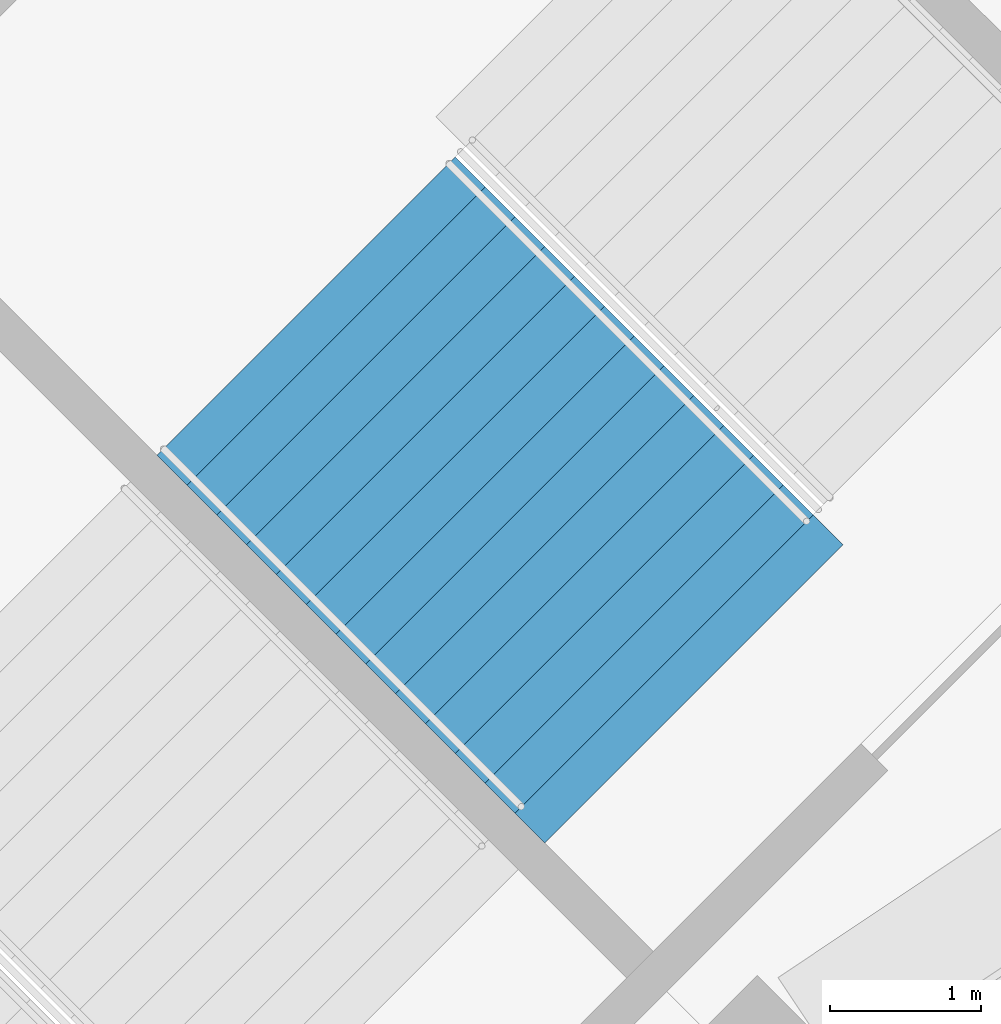
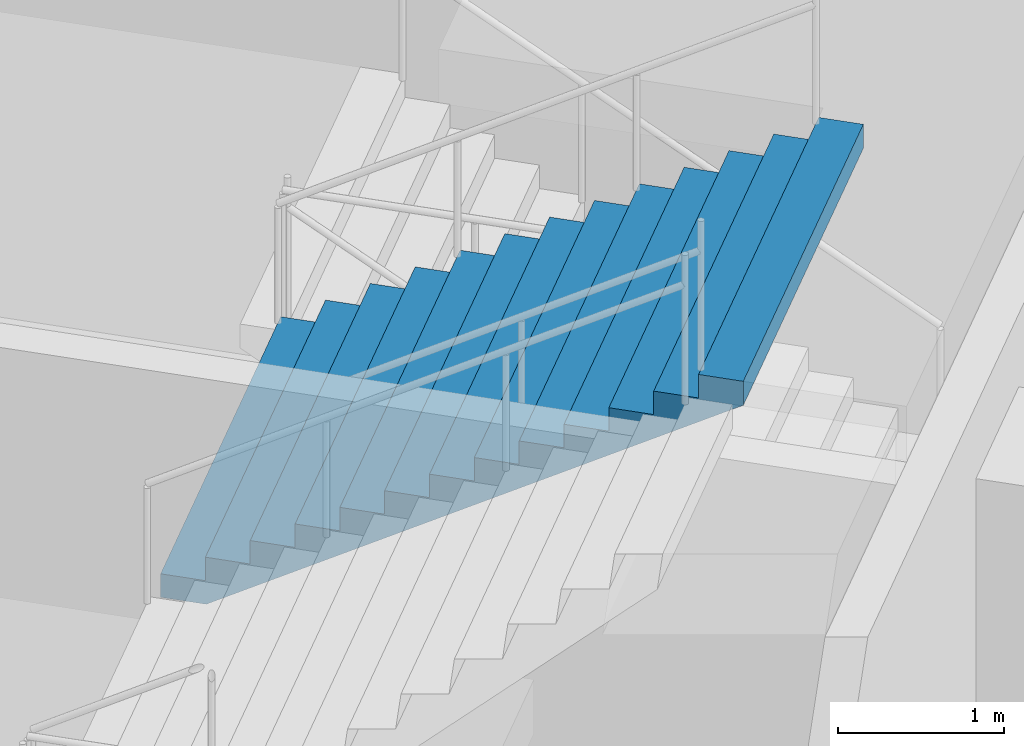
# One storey, part 138 of 177: 1 stair flight, 1 element without a shape of its own.
"""IFC4 building model written with IfcOpenShell, lengths in metres."""

from ifc_helpers import new_model, si_unit, direction, frame, origin, place, context, subcontext, project, spatial, faceted_brep, material, type_object, element, aggregate, save


model = new_model("IFC4")

# Units and contexts
model_context = context("Model", 3, precision=1e-05, world=origin(), true_north=direction((0.0, 1.0)))
body_context = subcontext(model_context, "Body", "Model", "MODEL_VIEW")
ifc_project = project(units=[si_unit("LENGTHUNIT", "METRE"), si_unit("AREAUNIT", "SQUARE_METRE"), si_unit("VOLUMEUNIT", "CUBIC_METRE"), si_unit("PLANEANGLEUNIT", "RADIAN"), si_unit("MASSUNIT", "GRAM", prefix="KILO")], contexts=[model_context])

# Site, building, storey
site_placement = place(None, origin())
site = spatial("IfcSite", under=ifc_project, at=site_placement, CompositionType="ELEMENT")
building_placement = place(site_placement, origin())
building = spatial("IfcBuilding", under=site, at=building_placement, Name="Ogive Plaza Stadium", CompositionType="ELEMENT")
storey_placement = place(building_placement, frame((0.0, 0.0, 18.0)))
storey = spatial("IfcBuildingStorey", under=building, at=storey_placement, Name="L04", CompositionType="ELEMENT", Elevation=18.0)

# Stair, stair flight
ifc_material_1 = material(Name="Concrete C40/50", Category="concrete")
stair_type = type_object("IfcStairType", Name="Exit stair", PredefinedType="STRAIGHT_RUN_STAIR", material=ifc_material_1)
stair_placement = place(storey_placement, origin())
stair = element("IfcStair", 1, at=stair_placement, inside=storey, type_object=stair_type, Name="Exit stair ST30A L04 to L05", PredefinedType="STRAIGHT_RUN_STAIR")
ifc_material_2 = material(Name="Concrete C40/50", Category="concrete")
stair_flight_type = type_object("IfcStairFlightType", Name="Exit stair flight", PredefinedType="STRAIGHT", material=ifc_material_2)
stair_flight_placement = place(storey_placement, frame((-65.243408203125, 85.900146484375, 2.25), z_axis=(0.0, 0.0, 1.0), x_axis=(0.707106781187, -0.707106781187, 0.0)))
stair_flight = element("IfcStairFlight", 2, at=stair_flight_placement, type_object=stair_flight_type, Name="ST30A flight 2", NumberOfRisers=13, NumberOfTreads=12, PredefinedType="STRAIGHT", RiserHeight=0.173076923, TreadLength=0.28, context=body_context, shape_type="Brep", body=[
    faceted_brep([(0.28515625, -1.39990234375, 0.0), (3.639892578125, -1.39990234375, 2.07373046875), (3.639892578125, -1.39990234375, 2.25), (3.360107421875, -1.39990234375, 2.25), (3.360107421875, -1.39990234375, 2.076904296875), (3.080078125, -1.39990234375, 2.076904296875), (3.080078125, -1.39990234375, 1.90380859375), (2.800048828125, -1.39990234375, 1.90380859375), (2.800048828125, -1.39990234375, 1.730712890625), (2.52001953125, -1.39990234375, 1.730712890625), (2.52001953125, -1.39990234375, 1.5576171875), (2.239990234375, -1.39990234375, 1.5576171875), (2.239990234375, -1.39990234375, 1.384521484375), (1.9599609375, -1.39990234375, 1.384521484375), (1.9599609375, -1.39990234375, 1.21142578125), (1.679931640625, -1.39990234375, 1.21142578125), (1.679931640625, -1.39990234375, 1.03857421875), (1.39990234375, -1.39990234375, 1.03857421875), (1.39990234375, -1.39990234375, 0.865478515625), (1.1201171875, -1.39990234375, 0.865478515625), (1.1201171875, -1.39990234375, 0.6923828125), (0.840087890625, -1.39990234375, 0.6923828125), (0.840087890625, -1.39990234375, 0.519287109375), (0.56005859375, -1.39990234375, 0.519287109375), (0.56005859375, -1.39990234375, 0.34619140625), (0.280029296875, -1.39990234375, 0.34619140625), (0.280029296875, -1.39990234375, 0.173095703125), (0.0, -1.39990234375, 0.173095703125), (0.0, -1.39990234375, 0.0), (0.0, 1.39990234375, 0.0), (0.0, 1.39990234375, 0.173095703125), (0.280029296875, 1.39990234375, 0.173095703125), (0.280029296875, 1.39990234375, 0.34619140625), (0.56005859375, 1.39990234375, 0.34619140625), (0.56005859375, 1.39990234375, 0.519287109375), (0.840087890625, 1.39990234375, 0.519287109375), (0.840087890625, 1.39990234375, 0.6923828125), (1.1201171875, 1.39990234375, 0.6923828125), (1.1201171875, 1.39990234375, 0.865478515625), (1.39990234375, 1.39990234375, 0.865478515625), (1.39990234375, 1.39990234375, 1.03857421875), (1.679931640625, 1.39990234375, 1.03857421875), (1.679931640625, 1.39990234375, 1.21142578125), (1.9599609375, 1.39990234375, 1.21142578125), (1.9599609375, 1.39990234375, 1.384521484375), (2.239990234375, 1.39990234375, 1.384521484375), (2.239990234375, 1.39990234375, 1.5576171875), (2.52001953125, 1.39990234375, 1.5576171875), (2.52001953125, 1.39990234375, 1.730712890625), (2.800048828125, 1.39990234375, 1.730712890625), (2.800048828125, 1.39990234375, 1.90380859375), (3.080078125, 1.39990234375, 1.90380859375), (3.080078125, 1.39990234375, 2.076904296875), (3.360107421875, 1.39990234375, 2.076904296875), (3.360107421875, 1.39990234375, 2.25), (3.639892578125, 1.39990234375, 2.25), (3.639892578125, 1.39990234375, 2.07373046875), (0.28515625, 1.39990234375, 0.0), (0.28515625, -1.0888671875, 0.0), (3.639892578125, -1.0888671875, 2.07373046875), (0.28515625, -0.77783203125, 0.0), (3.639892578125, -0.77783203125, 2.07373046875), (0.28515625, -0.466796875, 0.0), (3.639892578125, -0.466796875, 2.07373046875), (0.28515625, -0.155517578125, 0.0), (3.639892578125, -0.155517578125, 2.07373046875), (0.28515625, 0.155517578125, 0.0), (3.639892578125, 0.155517578125, 2.07373046875), (0.28515625, 0.466796875, 0.0), (3.639892578125, 0.466796875, 2.07373046875), (0.28515625, 0.77783203125, 0.0), (3.639892578125, 0.77783203125, 2.07373046875), (0.28515625, 1.0888671875, 0.0), (3.639892578125, 1.0888671875, 2.07373046875), (3.639892578125, -1.0888671875, 2.25), (3.639892578125, -0.77783203125, 2.25), (3.639892578125, -0.466796875, 2.25), (3.639892578125, -0.155517578125, 2.25), (3.639892578125, 0.155517578125, 2.25), (3.639892578125, 0.466796875, 2.25), (3.639892578125, 0.77783203125, 2.25), (3.639892578125, 1.0888671875, 2.25), (3.360107421875, -1.0888671875, 2.25), (3.360107421875, -0.77783203125, 2.25), (3.360107421875, -0.466796875, 2.25), (3.360107421875, -0.155517578125, 2.25), (3.360107421875, 0.155517578125, 2.25), (3.360107421875, 0.466796875, 2.25), (3.360107421875, 0.77783203125, 2.25), (3.360107421875, 1.0888671875, 2.25), (3.360107421875, -1.0888671875, 2.076904296875), (3.360107421875, -0.77783203125, 2.076904296875), (3.360107421875, -0.466796875, 2.076904296875), (3.360107421875, -0.155517578125, 2.076904296875), (3.360107421875, 0.155517578125, 2.076904296875), (3.360107421875, 0.466796875, 2.076904296875), (3.360107421875, 0.77783203125, 2.076904296875), (3.360107421875, 1.0888671875, 2.076904296875), (3.080078125, -1.0888671875, 2.076904296875), (3.080078125, -0.77783203125, 2.076904296875), (3.080078125, -0.466796875, 2.076904296875), (3.080078125, -0.155517578125, 2.076904296875), (3.080078125, 0.155517578125, 2.076904296875), (3.080078125, 0.466796875, 2.076904296875), (3.080078125, 0.77783203125, 2.076904296875), (3.080078125, 1.0888671875, 2.076904296875), (3.080078125, -1.0888671875, 1.90380859375), (3.080078125, -0.77783203125, 1.90380859375), (3.080078125, -0.466796875, 1.90380859375), (3.080078125, -0.155517578125, 1.90380859375), (3.080078125, 0.155517578125, 1.90380859375), (3.080078125, 0.466796875, 1.90380859375), (3.080078125, 0.77783203125, 1.90380859375), (3.080078125, 1.0888671875, 1.90380859375), (2.800048828125, -1.0888671875, 1.90380859375), (2.800048828125, -0.77783203125, 1.90380859375), (2.800048828125, -0.466796875, 1.90380859375), (2.800048828125, -0.155517578125, 1.90380859375), (2.800048828125, 0.155517578125, 1.90380859375), (2.800048828125, 0.466796875, 1.90380859375), (2.800048828125, 0.77783203125, 1.90380859375), (2.800048828125, 1.0888671875, 1.90380859375), (2.800048828125, -1.0888671875, 1.730712890625), (2.800048828125, -0.77783203125, 1.730712890625), (2.800048828125, -0.466796875, 1.730712890625), (2.800048828125, -0.155517578125, 1.730712890625), (2.800048828125, 0.155517578125, 1.730712890625), (2.800048828125, 0.466796875, 1.730712890625), (2.800048828125, 0.77783203125, 1.730712890625), (2.800048828125, 1.0888671875, 1.730712890625), (2.52001953125, -1.0888671875, 1.730712890625), (2.52001953125, -0.77783203125, 1.730712890625), (2.52001953125, -0.466796875, 1.730712890625), (2.52001953125, -0.155517578125, 1.730712890625), (2.52001953125, 0.155517578125, 1.730712890625), (2.52001953125, 0.466796875, 1.730712890625), (2.52001953125, 0.77783203125, 1.730712890625), (2.52001953125, 1.0888671875, 1.730712890625), (2.52001953125, -1.0888671875, 1.5576171875), (2.52001953125, -0.77783203125, 1.5576171875), (2.52001953125, -0.466796875, 1.5576171875), (2.52001953125, -0.155517578125, 1.5576171875), (2.52001953125, 0.155517578125, 1.5576171875), (2.52001953125, 0.466796875, 1.5576171875), (2.52001953125, 0.77783203125, 1.5576171875), (2.52001953125, 1.0888671875, 1.5576171875), (2.239990234375, -1.0888671875, 1.5576171875), (2.239990234375, -0.77783203125, 1.5576171875), (2.239990234375, -0.466796875, 1.5576171875), (2.239990234375, -0.155517578125, 1.5576171875), (2.239990234375, 0.155517578125, 1.5576171875), (2.239990234375, 0.466796875, 1.5576171875), (2.239990234375, 0.77783203125, 1.5576171875), (2.239990234375, 1.0888671875, 1.5576171875), (2.239990234375, -1.0888671875, 1.384521484375), (2.239990234375, -0.77783203125, 1.384521484375), (2.239990234375, -0.466796875, 1.384521484375), (2.239990234375, -0.155517578125, 1.384521484375), (2.239990234375, 0.155517578125, 1.384521484375), (2.239990234375, 0.466796875, 1.384521484375), (2.239990234375, 0.77783203125, 1.384521484375), (2.239990234375, 1.0888671875, 1.384521484375), (1.9599609375, -1.0888671875, 1.384521484375), (1.9599609375, -0.77783203125, 1.384521484375), (1.9599609375, -0.466796875, 1.384521484375), (1.9599609375, -0.155517578125, 1.384521484375), (1.9599609375, 0.155517578125, 1.384521484375), (1.9599609375, 0.466796875, 1.384521484375), (1.9599609375, 0.77783203125, 1.384521484375), (1.9599609375, 1.0888671875, 1.384521484375), (1.9599609375, -1.0888671875, 1.21142578125), (1.9599609375, -0.77783203125, 1.21142578125), (1.9599609375, -0.466796875, 1.21142578125), (1.9599609375, -0.155517578125, 1.21142578125), (1.9599609375, 0.155517578125, 1.21142578125), (1.9599609375, 0.466796875, 1.21142578125), (1.9599609375, 0.77783203125, 1.21142578125), (1.9599609375, 1.0888671875, 1.21142578125), (1.679931640625, -1.0888671875, 1.21142578125), (1.679931640625, -0.77783203125, 1.21142578125), (1.679931640625, -0.466796875, 1.21142578125), (1.679931640625, -0.155517578125, 1.21142578125), (1.679931640625, 0.155517578125, 1.21142578125), (1.679931640625, 0.466796875, 1.21142578125), (1.679931640625, 0.77783203125, 1.21142578125), (1.679931640625, 1.0888671875, 1.21142578125), (1.679931640625, -1.0888671875, 1.03857421875), (1.679931640625, -0.77783203125, 1.03857421875), (1.679931640625, -0.466796875, 1.03857421875), (1.679931640625, -0.155517578125, 1.03857421875), (1.679931640625, 0.155517578125, 1.03857421875), (1.679931640625, 0.466796875, 1.03857421875), (1.679931640625, 0.77783203125, 1.03857421875), (1.679931640625, 1.0888671875, 1.03857421875), (1.39990234375, -1.0888671875, 1.03857421875), (1.39990234375, -0.77783203125, 1.03857421875), (1.39990234375, -0.466796875, 1.03857421875), (1.39990234375, -0.155517578125, 1.03857421875), (1.39990234375, 0.155517578125, 1.03857421875), (1.39990234375, 0.466796875, 1.03857421875), (1.39990234375, 0.77783203125, 1.03857421875), (1.39990234375, 1.0888671875, 1.03857421875), (1.39990234375, -1.0888671875, 0.865478515625), (1.39990234375, -0.77783203125, 0.865478515625), (1.39990234375, -0.466796875, 0.865478515625), (1.39990234375, -0.155517578125, 0.865478515625), (1.39990234375, 0.155517578125, 0.865478515625), (1.39990234375, 0.466796875, 0.865478515625), (1.39990234375, 0.77783203125, 0.865478515625), (1.39990234375, 1.0888671875, 0.865478515625), (1.1201171875, -1.0888671875, 0.865478515625), (1.1201171875, -0.77783203125, 0.865478515625), (1.1201171875, -0.466796875, 0.865478515625), (1.1201171875, -0.155517578125, 0.865478515625), (1.1201171875, 0.155517578125, 0.865478515625), (1.1201171875, 0.466796875, 0.865478515625), (1.1201171875, 0.77783203125, 0.865478515625), (1.1201171875, 1.0888671875, 0.865478515625), (1.1201171875, -1.0888671875, 0.6923828125), (1.1201171875, -0.77783203125, 0.6923828125), (1.1201171875, -0.466796875, 0.6923828125), (1.1201171875, -0.155517578125, 0.6923828125), (1.1201171875, 0.155517578125, 0.6923828125), (1.1201171875, 0.466796875, 0.6923828125), (1.1201171875, 0.77783203125, 0.6923828125), (1.1201171875, 1.0888671875, 0.6923828125), (0.840087890625, -1.0888671875, 0.6923828125), (0.840087890625, -0.77783203125, 0.6923828125), (0.840087890625, -0.466796875, 0.6923828125), (0.840087890625, -0.155517578125, 0.6923828125), (0.840087890625, 0.155517578125, 0.6923828125), (0.840087890625, 0.466796875, 0.6923828125), (0.840087890625, 0.77783203125, 0.6923828125), (0.840087890625, 1.0888671875, 0.6923828125), (0.840087890625, -1.0888671875, 0.519287109375), (0.840087890625, -0.77783203125, 0.519287109375), (0.840087890625, -0.466796875, 0.519287109375), (0.840087890625, -0.155517578125, 0.519287109375), (0.840087890625, 0.155517578125, 0.519287109375), (0.840087890625, 0.466796875, 0.519287109375), (0.840087890625, 0.77783203125, 0.519287109375), (0.840087890625, 1.0888671875, 0.519287109375), (0.56005859375, -1.0888671875, 0.519287109375), (0.56005859375, -0.77783203125, 0.519287109375), (0.56005859375, -0.466796875, 0.519287109375), (0.56005859375, -0.155517578125, 0.519287109375), (0.56005859375, 0.155517578125, 0.519287109375), (0.56005859375, 0.466796875, 0.519287109375), (0.56005859375, 0.77783203125, 0.519287109375), (0.56005859375, 1.0888671875, 0.519287109375), (0.56005859375, -1.0888671875, 0.34619140625), (0.56005859375, -0.77783203125, 0.34619140625), (0.56005859375, -0.466796875, 0.34619140625), (0.56005859375, -0.155517578125, 0.34619140625), (0.56005859375, 0.155517578125, 0.34619140625), (0.56005859375, 0.466796875, 0.34619140625), (0.56005859375, 0.77783203125, 0.34619140625), (0.56005859375, 1.0888671875, 0.34619140625), (0.280029296875, -1.0888671875, 0.34619140625), (0.280029296875, -0.77783203125, 0.34619140625), (0.280029296875, -0.466796875, 0.34619140625), (0.280029296875, -0.155517578125, 0.34619140625), (0.280029296875, 0.155517578125, 0.34619140625), (0.280029296875, 0.466796875, 0.34619140625), (0.280029296875, 0.77783203125, 0.34619140625), (0.280029296875, 1.0888671875, 0.34619140625), (0.280029296875, -1.0888671875, 0.173095703125), (0.280029296875, -0.77783203125, 0.173095703125), (0.280029296875, -0.466796875, 0.173095703125), (0.280029296875, -0.155517578125, 0.173095703125), (0.280029296875, 0.155517578125, 0.173095703125), (0.280029296875, 0.466796875, 0.173095703125), (0.280029296875, 0.77783203125, 0.173095703125), (0.280029296875, 1.0888671875, 0.173095703125), (0.0, -1.0888671875, 0.173095703125), (0.0, -0.77783203125, 0.173095703125), (0.0, -0.466796875, 0.173095703125), (0.0, -0.155517578125, 0.173095703125), (0.0, 0.155517578125, 0.173095703125), (0.0, 0.466796875, 0.173095703125), (0.0, 0.77783203125, 0.173095703125), (0.0, 1.0888671875, 0.173095703125), (0.0, -1.0888671875, 0.0), (0.0, -0.77783203125, 0.0), (0.0, -0.466796875, 0.0), (0.0, -0.155517578125, 0.0), (0.0, 0.155517578125, 0.0), (0.0, 0.466796875, 0.0), (0.0, 0.77783203125, 0.0), (0.0, 1.0888671875, 0.0)], [[[0, 1, 2, 3, 4, 5, 6, 7, 8, 9, 10, 11, 12, 13, 14, 15, 16, 17, 18, 19, 20, 21, 22, 23, 24, 25, 26, 27, 28]], [[29, 30, 31, 32, 33, 34, 35, 36, 37, 38, 39, 40, 41, 42, 43, 44, 45, 46, 47, 48, 49, 50, 51, 52, 53, 54, 55, 56, 57]], [[0, 58, 59, 1]], [[58, 60, 61, 59]], [[60, 62, 63, 61]], [[62, 64, 65, 63]], [[64, 66, 67, 65]], [[66, 68, 69, 67]], [[68, 70, 71, 69]], [[70, 72, 73, 71]], [[72, 57, 56, 73]], [[1, 59, 74, 2]], [[59, 61, 75, 74]], [[61, 63, 76, 75]], [[63, 65, 77, 76]], [[65, 67, 78, 77]], [[67, 69, 79, 78]], [[69, 71, 80, 79]], [[71, 73, 81, 80]], [[73, 56, 55, 81]], [[2, 74, 82, 3]], [[74, 75, 83, 82]], [[75, 76, 84, 83]], [[76, 77, 85, 84]], [[77, 78, 86, 85]], [[78, 79, 87, 86]], [[79, 80, 88, 87]], [[80, 81, 89, 88]], [[81, 55, 54, 89]], [[3, 82, 90, 4]], [[82, 83, 91, 90]], [[83, 84, 92, 91]], [[84, 85, 93, 92]], [[85, 86, 94, 93]], [[86, 87, 95, 94]], [[87, 88, 96, 95]], [[88, 89, 97, 96]], [[89, 54, 53, 97]], [[4, 90, 98, 5]], [[90, 91, 99, 98]], [[91, 92, 100, 99]], [[92, 93, 101, 100]], [[93, 94, 102, 101]], [[94, 95, 103, 102]], [[95, 96, 104, 103]], [[96, 97, 105, 104]], [[97, 53, 52, 105]], [[5, 98, 106, 6]], [[98, 99, 107, 106]], [[99, 100, 108, 107]], [[100, 101, 109, 108]], [[101, 102, 110, 109]], [[102, 103, 111, 110]], [[103, 104, 112, 111]], [[104, 105, 113, 112]], [[105, 52, 51, 113]], [[6, 106, 114, 7]], [[106, 107, 115, 114]], [[107, 108, 116, 115]], [[108, 109, 117, 116]], [[109, 110, 118, 117]], [[110, 111, 119, 118]], [[111, 112, 120, 119]], [[112, 113, 121, 120]], [[113, 51, 50, 121]], [[7, 114, 122, 8]], [[114, 115, 123, 122]], [[115, 116, 124, 123]], [[116, 117, 125, 124]], [[117, 118, 126, 125]], [[118, 119, 127, 126]], [[119, 120, 128, 127]], [[120, 121, 129, 128]], [[121, 50, 49, 129]], [[8, 122, 130, 9]], [[122, 123, 131, 130]], [[123, 124, 132, 131]], [[124, 125, 133, 132]], [[125, 126, 134, 133]], [[126, 127, 135, 134]], [[127, 128, 136, 135]], [[128, 129, 137, 136]], [[129, 49, 48, 137]], [[9, 130, 138, 10]], [[130, 131, 139, 138]], [[131, 132, 140, 139]], [[132, 133, 141, 140]], [[133, 134, 142, 141]], [[134, 135, 143, 142]], [[135, 136, 144, 143]], [[136, 137, 145, 144]], [[137, 48, 47, 145]], [[10, 138, 146, 11]], [[138, 139, 147, 146]], [[139, 140, 148, 147]], [[140, 141, 149, 148]], [[141, 142, 150, 149]], [[142, 143, 151, 150]], [[143, 144, 152, 151]], [[144, 145, 153, 152]], [[145, 47, 46, 153]], [[11, 146, 154, 12]], [[146, 147, 155, 154]], [[147, 148, 156, 155]], [[148, 149, 157, 156]], [[149, 150, 158, 157]], [[150, 151, 159, 158]], [[151, 152, 160, 159]], [[152, 153, 161, 160]], [[153, 46, 45, 161]], [[12, 154, 162, 13]], [[154, 155, 163, 162]], [[155, 156, 164, 163]], [[156, 157, 165, 164]], [[157, 158, 166, 165]], [[158, 159, 167, 166]], [[159, 160, 168, 167]], [[160, 161, 169, 168]], [[161, 45, 44, 169]], [[13, 162, 170, 14]], [[162, 163, 171, 170]], [[163, 164, 172, 171]], [[164, 165, 173, 172]], [[165, 166, 174, 173]], [[166, 167, 175, 174]], [[167, 168, 176, 175]], [[168, 169, 177, 176]], [[169, 44, 43, 177]], [[14, 170, 178, 15]], [[170, 171, 179, 178]], [[171, 172, 180, 179]], [[172, 173, 181, 180]], [[173, 174, 182, 181]], [[174, 175, 183, 182]], [[175, 176, 184, 183]], [[176, 177, 185, 184]], [[177, 43, 42, 185]], [[15, 178, 186, 16]], [[178, 179, 187, 186]], [[179, 180, 188, 187]], [[180, 181, 189, 188]], [[181, 182, 190, 189]], [[182, 183, 191, 190]], [[183, 184, 192, 191]], [[184, 185, 193, 192]], [[185, 42, 41, 193]], [[16, 186, 194, 17]], [[186, 187, 195, 194]], [[187, 188, 196, 195]], [[188, 189, 197, 196]], [[189, 190, 198, 197]], [[190, 191, 199, 198]], [[191, 192, 200, 199]], [[192, 193, 201, 200]], [[193, 41, 40, 201]], [[17, 194, 202, 18]], [[194, 195, 203, 202]], [[195, 196, 204, 203]], [[196, 197, 205, 204]], [[197, 198, 206, 205]], [[198, 199, 207, 206]], [[199, 200, 208, 207]], [[200, 201, 209, 208]], [[201, 40, 39, 209]], [[18, 202, 210, 19]], [[202, 203, 211, 210]], [[203, 204, 212, 211]], [[204, 205, 213, 212]], [[205, 206, 214, 213]], [[206, 207, 215, 214]], [[207, 208, 216, 215]], [[208, 209, 217, 216]], [[209, 39, 38, 217]], [[19, 210, 218, 20]], [[210, 211, 219, 218]], [[211, 212, 220, 219]], [[212, 213, 221, 220]], [[213, 214, 222, 221]], [[214, 215, 223, 222]], [[215, 216, 224, 223]], [[216, 217, 225, 224]], [[217, 38, 37, 225]], [[20, 218, 226, 21]], [[218, 219, 227, 226]], [[219, 220, 228, 227]], [[220, 221, 229, 228]], [[221, 222, 230, 229]], [[222, 223, 231, 230]], [[223, 224, 232, 231]], [[224, 225, 233, 232]], [[225, 37, 36, 233]], [[21, 226, 234, 22]], [[226, 227, 235, 234]], [[227, 228, 236, 235]], [[228, 229, 237, 236]], [[229, 230, 238, 237]], [[230, 231, 239, 238]], [[231, 232, 240, 239]], [[232, 233, 241, 240]], [[233, 36, 35, 241]], [[22, 234, 242, 23]], [[234, 235, 243, 242]], [[235, 236, 244, 243]], [[236, 237, 245, 244]], [[237, 238, 246, 245]], [[238, 239, 247, 246]], [[239, 240, 248, 247]], [[240, 241, 249, 248]], [[241, 35, 34, 249]], [[23, 242, 250, 24]], [[242, 243, 251, 250]], [[243, 244, 252, 251]], [[244, 245, 253, 252]], [[245, 246, 254, 253]], [[246, 247, 255, 254]], [[247, 248, 256, 255]], [[248, 249, 257, 256]], [[249, 34, 33, 257]], [[24, 250, 258, 25]], [[250, 251, 259, 258]], [[251, 252, 260, 259]], [[252, 253, 261, 260]], [[253, 254, 262, 261]], [[254, 255, 263, 262]], [[255, 256, 264, 263]], [[256, 257, 265, 264]], [[257, 33, 32, 265]], [[25, 258, 266, 26]], [[258, 259, 267, 266]], [[259, 260, 268, 267]], [[260, 261, 269, 268]], [[261, 262, 270, 269]], [[262, 263, 271, 270]], [[263, 264, 272, 271]], [[264, 265, 273, 272]], [[265, 32, 31, 273]], [[26, 266, 274, 27]], [[266, 267, 275, 274]], [[267, 268, 276, 275]], [[268, 269, 277, 276]], [[269, 270, 278, 277]], [[270, 271, 279, 278]], [[271, 272, 280, 279]], [[272, 273, 281, 280]], [[273, 31, 30, 281]], [[27, 274, 282, 28]], [[274, 275, 283, 282]], [[275, 276, 284, 283]], [[276, 277, 285, 284]], [[277, 278, 286, 285]], [[278, 279, 287, 286]], [[279, 280, 288, 287]], [[280, 281, 289, 288]], [[281, 30, 29, 289]], [[28, 282, 58, 0]], [[282, 283, 60, 58]], [[283, 284, 62, 60]], [[284, 285, 64, 62]], [[285, 286, 66, 64]], [[286, 287, 68, 66]], [[287, 288, 70, 68]], [[288, 289, 72, 70]], [[289, 29, 57, 72]]]),
])
aggregate(stair, [stair_flight])

save(model, "model.ifc")
